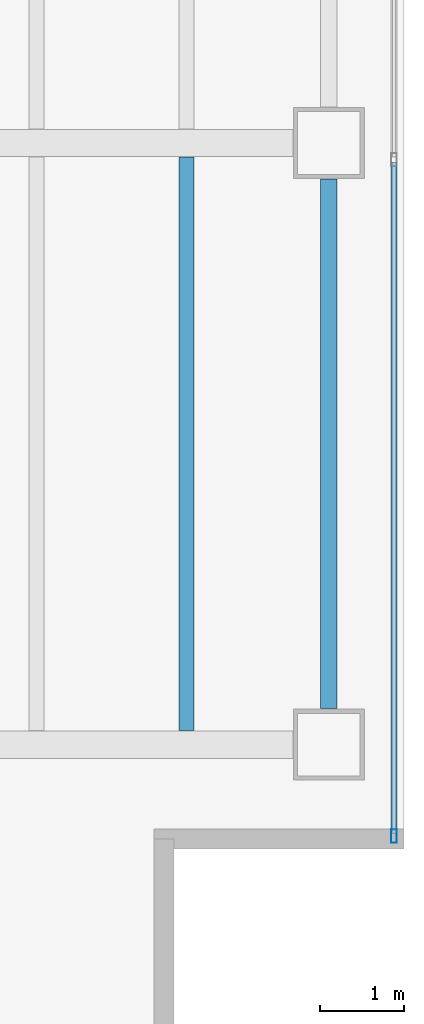
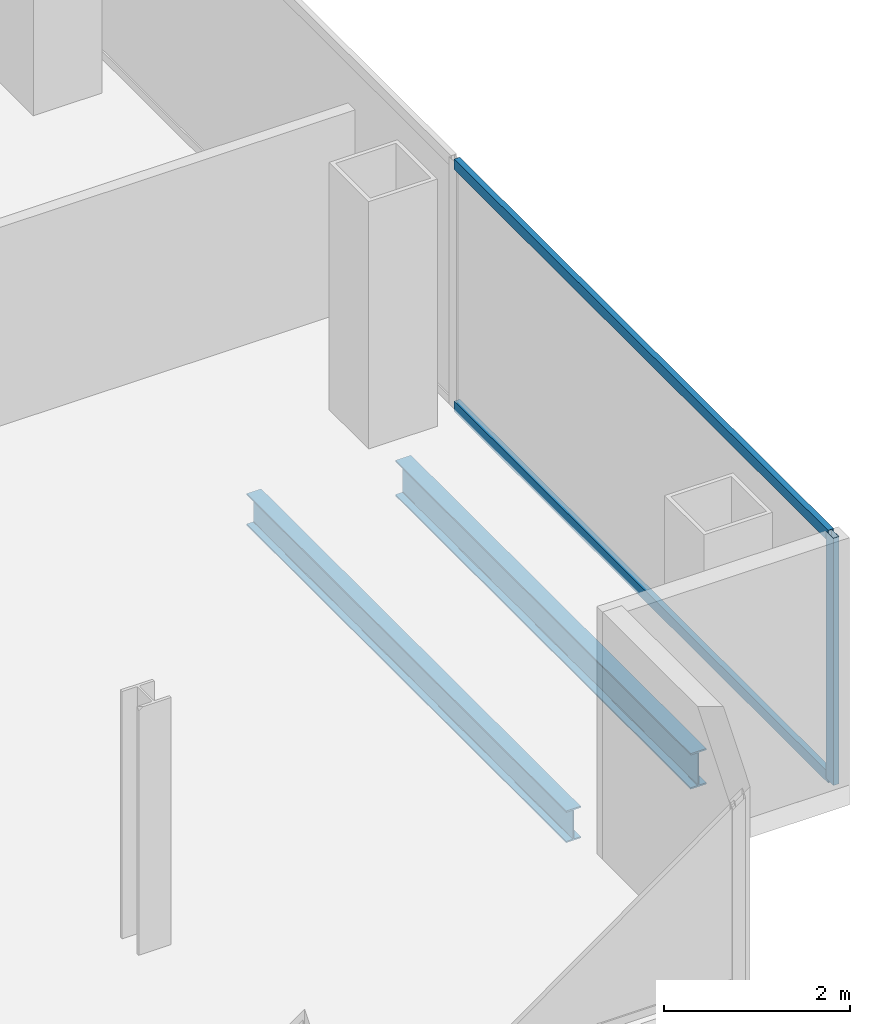
# One storey, part 12 of 23: 3 members, 2 beams, 1 element without a shape of its own.
"""IFC4 building model written with IfcOpenShell, lengths in metres."""

from ifc_helpers import new_model, si_unit, direction, frame, origin, origin_2d, place, context, subcontext, project, spatial, hollow_rectangle, i_section, extrude, material, material_profile, profile_set, type_object, element, aggregate, save


model = new_model("IFC4")

# Units and contexts
model_context = context("Model", 3, precision=1e-05, world=origin(), true_north=direction((0.0, 1.0)))
body_context = subcontext(model_context, "Body", "Model", "MODEL_VIEW")
ifc_project = project(units=[si_unit("LENGTHUNIT", "METRE"), si_unit("AREAUNIT", "SQUARE_METRE"), si_unit("VOLUMEUNIT", "CUBIC_METRE"), si_unit("PLANEANGLEUNIT", "RADIAN"), si_unit("MASSUNIT", "GRAM", prefix="KILO")], contexts=[model_context])

# Site, building, storey
site_placement = place(None, origin())
site = spatial("IfcSite", under=ifc_project, at=site_placement, CompositionType="ELEMENT")
building_placement = place(site_placement, origin())
building = spatial("IfcBuilding", under=site, at=building_placement, Name="Cobrela Telecom Tower", CompositionType="ELEMENT")
storey_placement = place(building_placement, frame((0.0, 0.0, 180.25)))
storey = spatial("IfcBuildingStorey", under=building, at=storey_placement, Name="L45", CompositionType="ELEMENT", Elevation=180.25)

# Beams
ifc_material_1 = material(Name="Steel ASTM A992 Grade 50", Category="steel")
ifc_material_profile_1 = material_profile(ifc_material_1, i_section(OverallWidth=0.179931640625, OverallDepth=0.4169921875, WebThickness=0.010986328125, FlangeThickness=0.01806640625, FilletRadius=0.011962890625, at=origin_2d()), Name="W16X57")
ifc_profile_set_1 = profile_set([ifc_material_profile_1], Name="Steel ASTM A992 Grade 50")
beam_type_1 = type_object("IfcBeamType", Name="BM-JOIST-04", PredefinedType="JOIST", material=ifc_profile_set_1)
beam_1_placement = place(storey_placement, frame((41.39990234375, 7.368896484375, -0.468505859375), z_axis=(0.0, 1.0, 0.0), x_axis=(-1.0, 0.0, 0.0)))
element("IfcBeam", 1, at=beam_1_placement, inside=storey, type_object=beam_type_1, Name="L45 Secondary Composite Floor Beam J29", PredefinedType="JOIST", context=body_context, shape_type="SweptSolid", body=[
    extrude(i_section(OverallWidth=0.179931640625, OverallDepth=0.4169921875, WebThickness=0.010986328125, FlangeThickness=0.01806640625, FilletRadius=0.011962890625, at=origin_2d()), origin(), (0.0, 0.0, 1.0), 6.862060546875),
])
ifc_material_profile_2 = material_profile(ifc_material_1, i_section(OverallWidth=0.193115234375, OverallDepth=0.467041015625, WebThickness=0.011474609375, FlangeThickness=0.01904296875, FilletRadius=0.012939453125, at=origin_2d()), Name="W18X65")
ifc_profile_set_2 = profile_set([ifc_material_profile_2], Name="Steel ASTM A992 Grade 50")
beam_type_2 = type_object("IfcBeamType", Name="BM-SPAND-05", PredefinedType="SPANDREL", material=ifc_profile_set_2)
beam_2_placement = place(storey_placement, frame((43.10009765625, 7.6298828125, -0.493408203125), z_axis=(0.0, 1.0, 0.0), x_axis=(-1.0, 0.0, 0.0)))
element("IfcBeam", 2, at=beam_2_placement, inside=storey, type_object=beam_type_2, Name="L45 Perimeter Spandrel Y42", PredefinedType="SPANDREL", context=body_context, shape_type="SweptSolid", body=[
    extrude(i_section(OverallWidth=0.193115234375, OverallDepth=0.467041015625, WebThickness=0.011474609375, FlangeThickness=0.01904296875, FilletRadius=0.012939453125, at=origin_2d()), origin(), (0.0, 0.0, 1.0), 6.340087890625),
])

# Curtain wall, members
ifc_material_2 = material(Name="Anodized Bronze Aluminium 6063-T6", Category="aluminium")
curtain_wall_type = type_object("IfcCurtainWallType", Name="CW-SYS-OFF-LO", PredefinedType="USERDEFINED", material=ifc_material_2)
curtain_wall_placement = place(storey_placement, origin())
curtain_wall = element("IfcCurtainWall", 3, at=curtain_wall_placement, inside=storey, type_object=curtain_wall_type, Name="L45 Unitised Bronze Curtain Wall 14", ObjectType="UNITISED CURTAIN WALL", PredefinedType="USERDEFINED")
ifc_material_profile_3 = material_profile(ifc_material_2, hollow_rectangle(XDim=0.070068359375, YDim=0.159912109375, WallThickness=0.00390625, at=origin_2d()), Name="ALU 70x160x4")
ifc_profile_set_3 = profile_set([ifc_material_profile_3], Name="Anodized Bronze Aluminium 6063-T6")
member_type_1 = type_object("IfcMemberType", Name="CW-SYS-OFF-LO-MUL", PredefinedType="MULLION", material=ifc_profile_set_3)
member_1_placement = place(storey_placement, frame((43.8798828125, 6.10498046875, 0.0), z_axis=(0.0, 0.0, 1.0), x_axis=(1.0, 0.0, 0.0)))
member_1 = element("IfcMember", 4, at=member_1_placement, type_object=member_type_1, Name="CW-OFF-LO mullion 3", PredefinedType="MULLION", context=body_context, shape_type="SweptSolid", body=[
    extrude(hollow_rectangle(XDim=0.070068359375, YDim=0.159912109375, WallThickness=0.00390625, at=origin_2d()), origin(), (0.0, 0.0, 1.0), 3.239990234375),
])
ifc_material_profile_4 = material_profile(ifc_material_2, hollow_rectangle(XDim=0.070068359375, YDim=0.139892578125, WallThickness=0.00390625, at=origin_2d()), Name="ALU 70x140x4")
ifc_profile_set_4 = profile_set([ifc_material_profile_4], Name="Anodized Bronze Aluminium 6063-T6")
member_type_2 = type_object("IfcMemberType", Name="CW-SYS-OFF-LO-TRN", PredefinedType="USERDEFINED", material=ifc_profile_set_4)
member_2_placement = place(storey_placement, frame((43.8798828125, 14.1650390625, 0.034912109375), z_axis=(0.0, -1.0, 0.0), x_axis=(1.0, 0.0, 0.0)))
member_2 = element("IfcMember", 5, at=member_2_placement, type_object=member_type_2, Name="CW-OFF-LO transom 2.1", ObjectType="TRANSOM", PredefinedType="USERDEFINED", context=body_context, shape_type="SweptSolid", body=[
    extrude(hollow_rectangle(XDim=0.070068359375, YDim=0.139892578125, WallThickness=0.00390625, at=origin_2d()), origin(), (0.0, 0.0, 1.0), 8.025146484375),
])
member_3_placement = place(storey_placement, frame((43.8798828125, 14.1650390625, 3.205078125), z_axis=(0.0, -1.0, 0.0), x_axis=(1.0, 0.0, 0.0)))
member_3 = element("IfcMember", 6, at=member_3_placement, type_object=member_type_2, Name="CW-OFF-LO transom 2.2", ObjectType="TRANSOM", PredefinedType="USERDEFINED", context=body_context, shape_type="SweptSolid", body=[
    extrude(hollow_rectangle(XDim=0.070068359375, YDim=0.139892578125, WallThickness=0.00390625, at=origin_2d()), origin(), (0.0, 0.0, 1.0), 8.025146484375),
])
aggregate(curtain_wall, [member_1, member_2, member_3])

save(model, "model.ifc")
